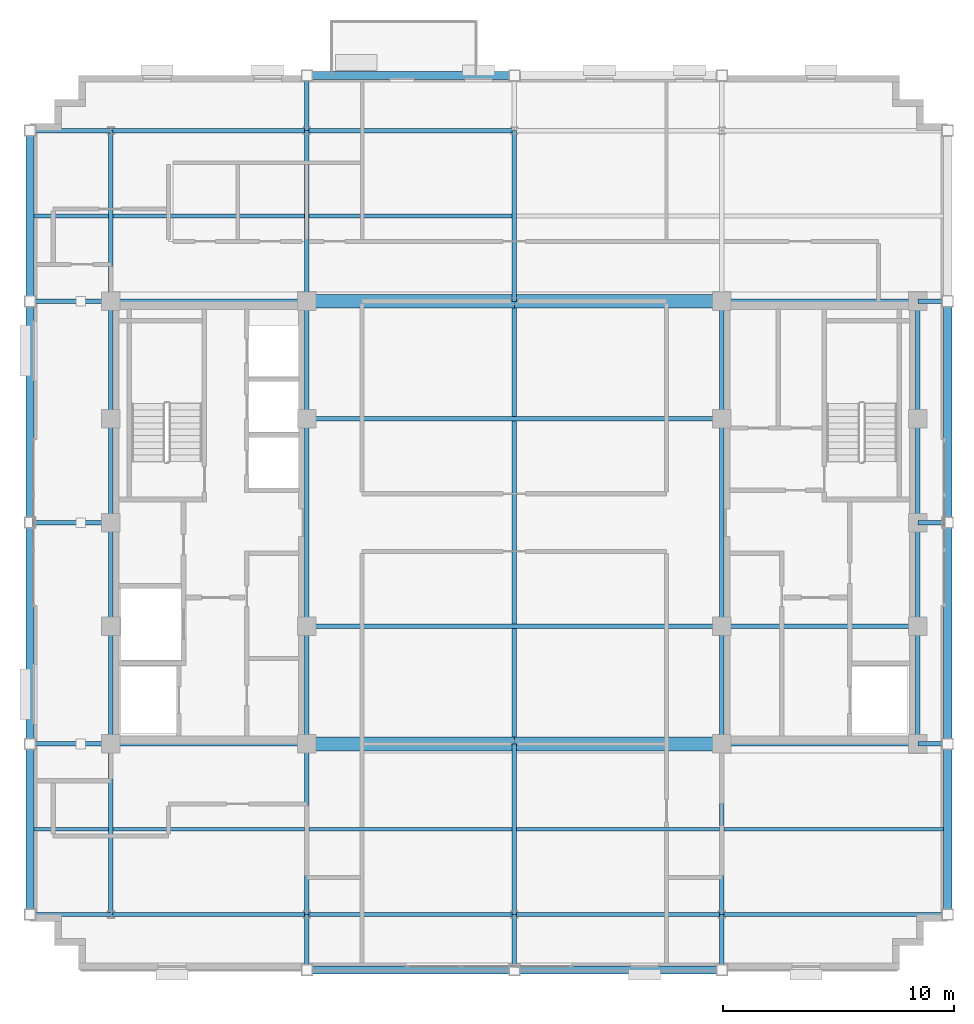
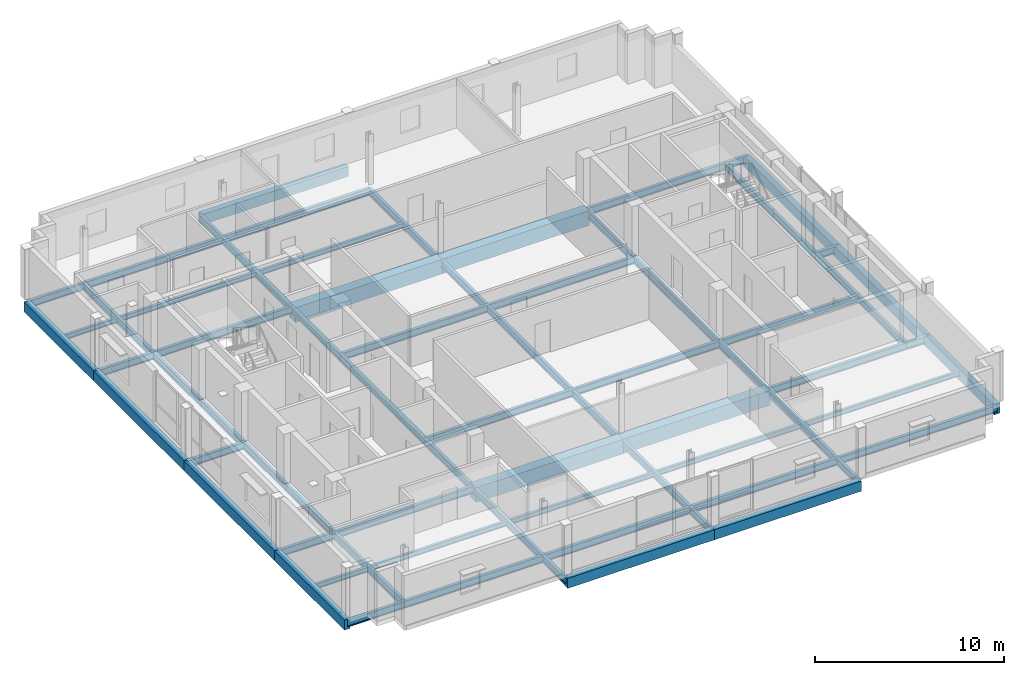
# One storey, part 4 of 15: 69 beams.
"""IFC4 building model written with IfcOpenShell, lengths in metres."""

from ifc_helpers import new_model, si_unit, direction, frame, origin, origin_2d, place, context, subcontext, project, spatial, rectangle, i_section, extrude, material, material_profile, profile_set, type_object, element, save


model = new_model("IFC4")

# Units and contexts
model_context = context("Model", 3, precision=1e-05, world=origin(), true_north=direction((0.0, 1.0)))
body_context = subcontext(model_context, "Body", "Model", "MODEL_VIEW")
ifc_project = project(units=[si_unit("LENGTHUNIT", "METRE"), si_unit("AREAUNIT", "SQUARE_METRE"), si_unit("VOLUMEUNIT", "CUBIC_METRE"), si_unit("PLANEANGLEUNIT", "RADIAN"), si_unit("MASSUNIT", "GRAM", prefix="KILO")], contexts=[model_context])

# Site, building, storey
site_placement = place(None, origin())
site = spatial("IfcSite", under=ifc_project, at=site_placement, CompositionType="ELEMENT")
building_placement = place(site_placement, origin())
building = spatial("IfcBuilding", under=site, at=building_placement, Name="Nuvemarco Arch Tower", CompositionType="ELEMENT")
storey_placement = place(building_placement, frame((0.0, 0.0, 283.5)))
storey = spatial("IfcBuildingStorey", under=building, at=storey_placement, Name="L75", CompositionType="ELEMENT", Elevation=283.5)

# Beams
ifc_material_1 = material(Name="Concrete C60/75", Category="concrete")
ifc_material_profile_1 = material_profile(ifc_material_1, rectangle(XDim=0.60009765625, YDim=0.949951171875, at=origin_2d()), Name="RC-BM-600x950")
ifc_profile_set_1 = profile_set([ifc_material_profile_1], Name="Concrete C60/75")
beam_type_1 = type_object("IfcBeamType", Name="BM-COUP-RC", PredefinedType="LINTEL", material=ifc_profile_set_1)
for number, where, z_axis, x_axis, name in (
    (1, (-9.0, -9.60009765625, -0.7548828125), (1.0, 0.0, 0.0), (0.0, 1.0, 0.0), "L75 structural beam BGEW_L75_0_-9.6_-9.0"),
    (2, (0.0, -9.60009765625, -0.7548828125), (1.0, 0.0, 0.0), (0.0, 1.0, 0.0), "L75 structural beam BGEW_L75_0_-9.6_+0.0"),
    (3, (-9.0, 9.60009765625, -0.7548828125), (1.0, 0.0, 0.0), (0.0, 1.0, 0.0), "L75 structural beam BGEW_L75_0_+9.6_-9.0"),
    (4, (0.0, 9.60009765625, -0.7548828125), (1.0, 0.0, 0.0), (0.0, 1.0, 0.0), "L75 structural beam BGEW_L75_0_+9.6_+0.0"),
):
    element("IfcBeam", number, at=place(storey_placement, frame(where, z_axis=z_axis, x_axis=x_axis)), inside=storey, type_object=beam_type_1, Name=name, PredefinedType="LINTEL", context=body_context, shape_type="SweptSolid", body=[
        extrude(rectangle(XDim=0.60009765625, YDim=0.949951171875, at=origin_2d()), origin(), (0.0, 0.0, 1.0), 9.0),
    ])
ifc_material_2 = material(Name="Steel S355", Category="steel")
ifc_material_profile_2 = material_profile(ifc_material_2, i_section(OverallWidth=0.19189453125, OverallDepth=0.462890625, WebThickness=0.010498046875, FlangeThickness=0.017578125, FilletRadius=0.014892578125, at=origin_2d()), Name="W460x89")
ifc_profile_set_2 = profile_set([ifc_material_profile_2], Name="Steel S355")
beam_type_2 = type_object("IfcBeamType", Name="BM-GIRD-460", PredefinedType="BEAM", material=ifc_profile_set_2)
beam_1_placement = place(storey_placement, frame((-17.5, -17.0, -0.511474609375), z_axis=(0.0, 1.0, 0.0), x_axis=(-1.0, 0.0, 0.0)))
element("IfcBeam", 5, at=beam_1_placement, inside=storey, type_object=beam_type_2, Name="L75 structural beam BGNS_L75_0_-17.5_-17.0", PredefinedType="BEAM", context=body_context, shape_type="SweptSolid", body=[
    extrude(i_section(OverallWidth=0.19189453125, OverallDepth=0.462890625, WebThickness=0.010498046875, FlangeThickness=0.017578125, FilletRadius=0.014892578125, at=origin_2d()), origin(), (0.0, 0.0, 1.0), 7.39990234375),
])
beam_2_placement = place(storey_placement, frame((-17.5, -9.60009765625, -0.511474609375), z_axis=(0.0, 1.0, 0.0), x_axis=(-1.0, 0.0, 0.0)))
element("IfcBeam", 6, at=beam_2_placement, inside=storey, type_object=beam_type_2, Name="L75 structural beam BGNS_L75_0_-17.5_-9.6", PredefinedType="BEAM", context=body_context, shape_type="SweptSolid", body=[
    extrude(i_section(OverallWidth=0.19189453125, OverallDepth=0.462890625, WebThickness=0.010498046875, FlangeThickness=0.017578125, FilletRadius=0.014892578125, at=origin_2d()), origin(), (0.0, 0.0, 1.0), 5.10009765625),
])
for number, where, z_axis, x_axis, name in (
    (7, (-17.5, -4.5, -0.511474609375), (0.0, 1.0, 0.0), (-1.0, 0.0, 0.0), "L75 structural beam BGNS_L75_0_-17.5_-4.5"),
    (8, (-17.5, 0.0, -0.511474609375), (0.0, 1.0, 0.0), (-1.0, 0.0, 0.0), "L75 structural beam BGNS_L75_0_-17.5_+0.0"),
):
    element("IfcBeam", number, at=place(storey_placement, frame(where, z_axis=z_axis, x_axis=x_axis)), inside=storey, type_object=beam_type_2, Name=name, PredefinedType="BEAM", context=body_context, shape_type="SweptSolid", body=[
        extrude(i_section(OverallWidth=0.19189453125, OverallDepth=0.462890625, WebThickness=0.010498046875, FlangeThickness=0.017578125, FilletRadius=0.014892578125, at=origin_2d()), origin(), (0.0, 0.0, 1.0), 4.5),
    ])
beam_3_placement = place(storey_placement, frame((-17.5, 4.5, -0.511474609375), z_axis=(0.0, 1.0, 0.0), x_axis=(-1.0, 0.0, 0.0)))
element("IfcBeam", 9, at=beam_3_placement, inside=storey, type_object=beam_type_2, Name="L75 structural beam BGNS_L75_0_-17.5_+4.5", PredefinedType="BEAM", context=body_context, shape_type="SweptSolid", body=[
    extrude(i_section(OverallWidth=0.19189453125, OverallDepth=0.462890625, WebThickness=0.010498046875, FlangeThickness=0.017578125, FilletRadius=0.014892578125, at=origin_2d()), origin(), (0.0, 0.0, 1.0), 5.10009765625),
])
beam_4_placement = place(storey_placement, frame((-17.5, 9.60009765625, -0.511474609375), z_axis=(0.0, 1.0, 0.0), x_axis=(-1.0, 0.0, 0.0)))
element("IfcBeam", 10, at=beam_4_placement, inside=storey, type_object=beam_type_2, Name="L75 structural beam BGNS_L75_0_-17.5_+9.6", PredefinedType="BEAM", context=body_context, shape_type="SweptSolid", body=[
    extrude(i_section(OverallWidth=0.19189453125, OverallDepth=0.462890625, WebThickness=0.010498046875, FlangeThickness=0.017578125, FilletRadius=0.014892578125, at=origin_2d()), origin(), (0.0, 0.0, 1.0), 7.39990234375),
])
beam_5_placement = place(storey_placement, frame((-9.0, -19.39990234375, -0.511474609375), z_axis=(0.0, 1.0, 0.0), x_axis=(-1.0, 0.0, 0.0)))
element("IfcBeam", 11, at=beam_5_placement, inside=storey, type_object=beam_type_2, Name="L75 structural beam BGNS_L75_0_-9.0_-19.4", PredefinedType="BEAM", context=body_context, shape_type="SweptSolid", body=[
    extrude(i_section(OverallWidth=0.19189453125, OverallDepth=0.462890625, WebThickness=0.010498046875, FlangeThickness=0.017578125, FilletRadius=0.014892578125, at=origin_2d()), origin(), (0.0, 0.0, 1.0), 2.39990234375),
])
beam_6_placement = place(storey_placement, frame((-9.0, -17.0, -0.511474609375), z_axis=(0.0, 1.0, 0.0), x_axis=(-1.0, 0.0, 0.0)))
element("IfcBeam", 12, at=beam_6_placement, inside=storey, type_object=beam_type_2, Name="L75 structural beam BGNS_L75_0_-9.0_-17.0", PredefinedType="BEAM", context=body_context, shape_type="SweptSolid", body=[
    extrude(i_section(OverallWidth=0.19189453125, OverallDepth=0.462890625, WebThickness=0.010498046875, FlangeThickness=0.017578125, FilletRadius=0.014892578125, at=origin_2d()), origin(), (0.0, 0.0, 1.0), 7.39990234375),
])
beam_7_placement = place(storey_placement, frame((-9.0, -9.60009765625, -0.511474609375), z_axis=(0.0, 1.0, 0.0), x_axis=(-1.0, 0.0, 0.0)))
element("IfcBeam", 13, at=beam_7_placement, inside=storey, type_object=beam_type_2, Name="L75 structural beam BGNS_L75_0_-9.0_-9.6", PredefinedType="BEAM", context=body_context, shape_type="SweptSolid", body=[
    extrude(i_section(OverallWidth=0.19189453125, OverallDepth=0.462890625, WebThickness=0.010498046875, FlangeThickness=0.017578125, FilletRadius=0.014892578125, at=origin_2d()), origin(), (0.0, 0.0, 1.0), 5.10009765625),
])
beam_8_placement = place(storey_placement, frame((-9.0, -4.5, -0.511474609375), z_axis=(0.0, 1.0, 0.0), x_axis=(-1.0, 0.0, 0.0)))
element("IfcBeam", 14, at=beam_8_placement, inside=storey, type_object=beam_type_2, Name="L75 structural beam BGNS_L75_0_-9.0_-4.5", PredefinedType="BEAM", context=body_context, shape_type="SweptSolid", body=[
    extrude(i_section(OverallWidth=0.19189453125, OverallDepth=0.462890625, WebThickness=0.010498046875, FlangeThickness=0.017578125, FilletRadius=0.014892578125, at=origin_2d()), origin(), (0.0, 0.0, 1.0), 9.0),
])
beam_9_placement = place(storey_placement, frame((-9.0, 4.5, -0.511474609375), z_axis=(0.0, 1.0, 0.0), x_axis=(-1.0, 0.0, 0.0)))
element("IfcBeam", 15, at=beam_9_placement, inside=storey, type_object=beam_type_2, Name="L75 structural beam BGNS_L75_0_-9.0_+4.5", PredefinedType="BEAM", context=body_context, shape_type="SweptSolid", body=[
    extrude(i_section(OverallWidth=0.19189453125, OverallDepth=0.462890625, WebThickness=0.010498046875, FlangeThickness=0.017578125, FilletRadius=0.014892578125, at=origin_2d()), origin(), (0.0, 0.0, 1.0), 5.10009765625),
])
beam_10_placement = place(storey_placement, frame((-9.0, 9.60009765625, -0.511474609375), z_axis=(0.0, 1.0, 0.0), x_axis=(-1.0, 0.0, 0.0)))
element("IfcBeam", 16, at=beam_10_placement, inside=storey, type_object=beam_type_2, Name="L75 structural beam BGNS_L75_0_-9.0_+9.6", PredefinedType="BEAM", context=body_context, shape_type="SweptSolid", body=[
    extrude(i_section(OverallWidth=0.19189453125, OverallDepth=0.462890625, WebThickness=0.010498046875, FlangeThickness=0.017578125, FilletRadius=0.014892578125, at=origin_2d()), origin(), (0.0, 0.0, 1.0), 7.39990234375),
])
for number, where, z_axis, x_axis, name in (
    (17, (-9.0, 17.0, -0.511474609375), (0.0, 1.0, 0.0), (-1.0, 0.0, 0.0), "L75 structural beam BGNS_L75_0_-9.0_+17.0"),
    (18, (0.0, -19.39990234375, -0.511474609375), (0.0, 1.0, 0.0), (-1.0, 0.0, 0.0), "L75 structural beam BGNS_L75_0_+0.0_-19.4"),
):
    element("IfcBeam", number, at=place(storey_placement, frame(where, z_axis=z_axis, x_axis=x_axis)), inside=storey, type_object=beam_type_2, Name=name, PredefinedType="BEAM", context=body_context, shape_type="SweptSolid", body=[
        extrude(i_section(OverallWidth=0.19189453125, OverallDepth=0.462890625, WebThickness=0.010498046875, FlangeThickness=0.017578125, FilletRadius=0.014892578125, at=origin_2d()), origin(), (0.0, 0.0, 1.0), 2.39990234375),
    ])
beam_11_placement = place(storey_placement, frame((0.0, -17.0, -0.511474609375), z_axis=(0.0, 1.0, 0.0), x_axis=(-1.0, 0.0, 0.0)))
element("IfcBeam", 19, at=beam_11_placement, inside=storey, type_object=beam_type_2, Name="L75 structural beam BGNS_L75_0_+0.0_-17.0", PredefinedType="BEAM", context=body_context, shape_type="SweptSolid", body=[
    extrude(i_section(OverallWidth=0.19189453125, OverallDepth=0.462890625, WebThickness=0.010498046875, FlangeThickness=0.017578125, FilletRadius=0.014892578125, at=origin_2d()), origin(), (0.0, 0.0, 1.0), 7.39990234375),
])
beam_12_placement = place(storey_placement, frame((0.0, -9.60009765625, -0.511474609375), z_axis=(0.0, 1.0, 0.0), x_axis=(-1.0, 0.0, 0.0)))
element("IfcBeam", 20, at=beam_12_placement, inside=storey, type_object=beam_type_2, Name="L75 structural beam BGNS_L75_0_+0.0_-9.6", PredefinedType="BEAM", context=body_context, shape_type="SweptSolid", body=[
    extrude(i_section(OverallWidth=0.19189453125, OverallDepth=0.462890625, WebThickness=0.010498046875, FlangeThickness=0.017578125, FilletRadius=0.014892578125, at=origin_2d()), origin(), (0.0, 0.0, 1.0), 19.2001953125),
])
beam_13_placement = place(storey_placement, frame((0.0, 9.60009765625, -0.511474609375), z_axis=(0.0, 1.0, 0.0), x_axis=(-1.0, 0.0, 0.0)))
element("IfcBeam", 21, at=beam_13_placement, inside=storey, type_object=beam_type_2, Name="L75 structural beam BGNS_L75_0_+0.0_+9.6", PredefinedType="BEAM", context=body_context, shape_type="SweptSolid", body=[
    extrude(i_section(OverallWidth=0.19189453125, OverallDepth=0.462890625, WebThickness=0.010498046875, FlangeThickness=0.017578125, FilletRadius=0.014892578125, at=origin_2d()), origin(), (0.0, 0.0, 1.0), 7.39990234375),
])
beam_14_placement = place(storey_placement, frame((9.0, -19.39990234375, -0.511474609375), z_axis=(0.0, 1.0, 0.0), x_axis=(-1.0, 0.0, 0.0)))
element("IfcBeam", 22, at=beam_14_placement, inside=storey, type_object=beam_type_2, Name="L75 structural beam BGNS_L75_0_+9.0_-19.4", PredefinedType="BEAM", context=body_context, shape_type="SweptSolid", body=[
    extrude(i_section(OverallWidth=0.19189453125, OverallDepth=0.462890625, WebThickness=0.010498046875, FlangeThickness=0.017578125, FilletRadius=0.014892578125, at=origin_2d()), origin(), (0.0, 0.0, 1.0), 2.39990234375),
])
beam_15_placement = place(storey_placement, frame((9.0, -17.0, -0.511474609375), z_axis=(0.0, 1.0, 0.0), x_axis=(-1.0, 0.0, 0.0)))
element("IfcBeam", 23, at=beam_15_placement, inside=storey, type_object=beam_type_2, Name="L75 structural beam BGNS_L75_0_+9.0_-17.0", PredefinedType="BEAM", context=body_context, shape_type="SweptSolid", body=[
    extrude(i_section(OverallWidth=0.19189453125, OverallDepth=0.462890625, WebThickness=0.010498046875, FlangeThickness=0.017578125, FilletRadius=0.014892578125, at=origin_2d()), origin(), (0.0, 0.0, 1.0), 7.39990234375),
])
beam_16_placement = place(storey_placement, frame((9.0, -9.60009765625, -0.511474609375), z_axis=(0.0, 1.0, 0.0), x_axis=(-1.0, 0.0, 0.0)))
element("IfcBeam", 24, at=beam_16_placement, inside=storey, type_object=beam_type_2, Name="L75 structural beam BGNS_L75_0_+9.0_-9.6", PredefinedType="BEAM", context=body_context, shape_type="SweptSolid", body=[
    extrude(i_section(OverallWidth=0.19189453125, OverallDepth=0.462890625, WebThickness=0.010498046875, FlangeThickness=0.017578125, FilletRadius=0.014892578125, at=origin_2d()), origin(), (0.0, 0.0, 1.0), 5.10009765625),
])
beam_17_placement = place(storey_placement, frame((9.0, -4.5, -0.511474609375), z_axis=(0.0, 1.0, 0.0), x_axis=(-1.0, 0.0, 0.0)))
element("IfcBeam", 25, at=beam_17_placement, inside=storey, type_object=beam_type_2, Name="L75 structural beam BGNS_L75_0_+9.0_-4.5", PredefinedType="BEAM", context=body_context, shape_type="SweptSolid", body=[
    extrude(i_section(OverallWidth=0.19189453125, OverallDepth=0.462890625, WebThickness=0.010498046875, FlangeThickness=0.017578125, FilletRadius=0.014892578125, at=origin_2d()), origin(), (0.0, 0.0, 1.0), 9.0),
])
for number, where, z_axis, x_axis, name in (
    (26, (9.0, 4.5, -0.511474609375), (0.0, 1.0, 0.0), (-1.0, 0.0, 0.0), "L75 structural beam BGNS_L75_0_+9.0_+4.5"),
    (27, (17.5, -9.60009765625, -0.511474609375), (0.0, 1.0, 0.0), (-1.0, 0.0, 0.0), "L75 structural beam BGNS_L75_0_+17.5_-9.6"),
):
    element("IfcBeam", number, at=place(storey_placement, frame(where, z_axis=z_axis, x_axis=x_axis)), inside=storey, type_object=beam_type_2, Name=name, PredefinedType="BEAM", context=body_context, shape_type="SweptSolid", body=[
        extrude(i_section(OverallWidth=0.19189453125, OverallDepth=0.462890625, WebThickness=0.010498046875, FlangeThickness=0.017578125, FilletRadius=0.014892578125, at=origin_2d()), origin(), (0.0, 0.0, 1.0), 5.10009765625),
    ])
for number, where, z_axis, x_axis, name in (
    (28, (17.5, -4.5, -0.511474609375), (0.0, 1.0, 0.0), (-1.0, 0.0, 0.0), "L75 structural beam BGNS_L75_0_+17.5_-4.5"),
    (29, (17.5, 0.0, -0.511474609375), (0.0, 1.0, 0.0), (-1.0, 0.0, 0.0), "L75 structural beam BGNS_L75_0_+17.5_+0.0"),
):
    element("IfcBeam", number, at=place(storey_placement, frame(where, z_axis=z_axis, x_axis=x_axis)), inside=storey, type_object=beam_type_2, Name=name, PredefinedType="BEAM", context=body_context, shape_type="SweptSolid", body=[
        extrude(i_section(OverallWidth=0.19189453125, OverallDepth=0.462890625, WebThickness=0.010498046875, FlangeThickness=0.017578125, FilletRadius=0.014892578125, at=origin_2d()), origin(), (0.0, 0.0, 1.0), 4.5),
    ])
beam_18_placement = place(storey_placement, frame((17.5, 4.5, -0.511474609375), z_axis=(0.0, 1.0, 0.0), x_axis=(-1.0, 0.0, 0.0)))
element("IfcBeam", 30, at=beam_18_placement, inside=storey, type_object=beam_type_2, Name="L75 structural beam BGNS_L75_0_+17.5_+4.5", PredefinedType="BEAM", context=body_context, shape_type="SweptSolid", body=[
    extrude(i_section(OverallWidth=0.19189453125, OverallDepth=0.462890625, WebThickness=0.010498046875, FlangeThickness=0.017578125, FilletRadius=0.014892578125, at=origin_2d()), origin(), (0.0, 0.0, 1.0), 5.10009765625),
])
beam_19_placement = place(storey_placement, frame((-21.0, -17.0, -0.511474609375), z_axis=(1.0, 0.0, 0.0), x_axis=(0.0, 1.0, 0.0)))
element("IfcBeam", 31, at=beam_19_placement, inside=storey, type_object=beam_type_2, Name="L75 structural beam BGEW_L75_0_-17.0_-21.0", PredefinedType="BEAM", context=body_context, shape_type="SweptSolid", body=[
    extrude(i_section(OverallWidth=0.19189453125, OverallDepth=0.462890625, WebThickness=0.010498046875, FlangeThickness=0.017578125, FilletRadius=0.014892578125, at=origin_2d()), origin(), (0.0, 0.0, 1.0), 3.5),
])
beam_20_placement = place(storey_placement, frame((-17.5, -17.0, -0.511474609375), z_axis=(1.0, 0.0, 0.0), x_axis=(0.0, 1.0, 0.0)))
element("IfcBeam", 32, at=beam_20_placement, inside=storey, type_object=beam_type_2, Name="L75 structural beam BGEW_L75_0_-17.0_-17.5", PredefinedType="BEAM", context=body_context, shape_type="SweptSolid", body=[
    extrude(i_section(OverallWidth=0.19189453125, OverallDepth=0.462890625, WebThickness=0.010498046875, FlangeThickness=0.017578125, FilletRadius=0.014892578125, at=origin_2d()), origin(), (0.0, 0.0, 1.0), 8.5),
])
for number, where, z_axis, x_axis, name in (
    (33, (-9.0, -17.0, -0.511474609375), (1.0, 0.0, 0.0), (0.0, 1.0, 0.0), "L75 structural beam BGEW_L75_0_-17.0_-9.0"),
    (34, (0.0, -17.0, -0.511474609375), (1.0, 0.0, 0.0), (0.0, 1.0, 0.0), "L75 structural beam BGEW_L75_0_-17.0_+0.0"),
):
    element("IfcBeam", number, at=place(storey_placement, frame(where, z_axis=z_axis, x_axis=x_axis)), inside=storey, type_object=beam_type_2, Name=name, PredefinedType="BEAM", context=body_context, shape_type="SweptSolid", body=[
        extrude(i_section(OverallWidth=0.19189453125, OverallDepth=0.462890625, WebThickness=0.010498046875, FlangeThickness=0.017578125, FilletRadius=0.014892578125, at=origin_2d()), origin(), (0.0, 0.0, 1.0), 9.0),
    ])
beam_21_placement = place(storey_placement, frame((9.0, -17.0, -0.511474609375), z_axis=(1.0, 0.0, 0.0), x_axis=(0.0, 1.0, 0.0)))
element("IfcBeam", 35, at=beam_21_placement, inside=storey, type_object=beam_type_2, Name="L75 structural beam BGEW_L75_0_-17.0_+9.0", PredefinedType="BEAM", context=body_context, shape_type="SweptSolid", body=[
    extrude(i_section(OverallWidth=0.19189453125, OverallDepth=0.462890625, WebThickness=0.010498046875, FlangeThickness=0.017578125, FilletRadius=0.014892578125, at=origin_2d()), origin(), (0.0, 0.0, 1.0), 9.800048828125),
])
beam_22_placement = place(storey_placement, frame((-21.0, -9.60009765625, -0.511474609375), z_axis=(1.0, 0.0, 0.0), x_axis=(0.0, 1.0, 0.0)))
element("IfcBeam", 36, at=beam_22_placement, inside=storey, type_object=beam_type_2, Name="L75 structural beam BGEW_L75_0_-9.6_-21.0", PredefinedType="BEAM", context=body_context, shape_type="SweptSolid", body=[
    extrude(i_section(OverallWidth=0.19189453125, OverallDepth=0.462890625, WebThickness=0.010498046875, FlangeThickness=0.017578125, FilletRadius=0.014892578125, at=origin_2d()), origin(), (0.0, 0.0, 1.0), 3.5),
])
for number, where, z_axis, x_axis, name in (
    (37, (-17.5, -9.60009765625, -0.511474609375), (1.0, 0.0, 0.0), (0.0, 1.0, 0.0), "L75 structural beam BGEW_L75_0_-9.6_-17.5"),
    (38, (9.0, -9.60009765625, -0.511474609375), (1.0, 0.0, 0.0), (0.0, 1.0, 0.0), "L75 structural beam BGEW_L75_0_-9.6_+9.0"),
):
    element("IfcBeam", number, at=place(storey_placement, frame(where, z_axis=z_axis, x_axis=x_axis)), inside=storey, type_object=beam_type_2, Name=name, PredefinedType="BEAM", context=body_context, shape_type="SweptSolid", body=[
        extrude(i_section(OverallWidth=0.19189453125, OverallDepth=0.462890625, WebThickness=0.010498046875, FlangeThickness=0.017578125, FilletRadius=0.014892578125, at=origin_2d()), origin(), (0.0, 0.0, 1.0), 8.5),
    ])
beam_23_placement = place(storey_placement, frame((17.5, -9.60009765625, -0.511474609375), z_axis=(1.0, 0.0, 0.0), x_axis=(0.0, 1.0, 0.0)))
element("IfcBeam", 39, at=beam_23_placement, inside=storey, type_object=beam_type_2, Name="L75 structural beam BGEW_L75_0_-9.6_+17.5", PredefinedType="BEAM", context=body_context, shape_type="SweptSolid", body=[
    extrude(i_section(OverallWidth=0.19189453125, OverallDepth=0.462890625, WebThickness=0.010498046875, FlangeThickness=0.017578125, FilletRadius=0.014892578125, at=origin_2d()), origin(), (0.0, 0.0, 1.0), 1.300048828125),
])
beam_24_placement = place(storey_placement, frame((-9.0, -4.5, -0.511474609375), z_axis=(1.0, 0.0, 0.0), x_axis=(0.0, 1.0, 0.0)))
element("IfcBeam", 40, at=beam_24_placement, inside=storey, type_object=beam_type_2, Name="L75 structural beam BGEW_L75_0_-4.5_-9.0", PredefinedType="BEAM", context=body_context, shape_type="SweptSolid", body=[
    extrude(i_section(OverallWidth=0.19189453125, OverallDepth=0.462890625, WebThickness=0.010498046875, FlangeThickness=0.017578125, FilletRadius=0.014892578125, at=origin_2d()), origin(), (0.0, 0.0, 1.0), 18.0),
])
beam_25_placement = place(storey_placement, frame((9.0, -4.5, -0.511474609375), z_axis=(1.0, 0.0, 0.0), x_axis=(0.0, 1.0, 0.0)))
element("IfcBeam", 41, at=beam_25_placement, inside=storey, type_object=beam_type_2, Name="L75 structural beam BGEW_L75_0_-4.5_+9.0", PredefinedType="BEAM", context=body_context, shape_type="SweptSolid", body=[
    extrude(i_section(OverallWidth=0.19189453125, OverallDepth=0.462890625, WebThickness=0.010498046875, FlangeThickness=0.017578125, FilletRadius=0.014892578125, at=origin_2d()), origin(), (0.0, 0.0, 1.0), 8.5),
])
beam_26_placement = place(storey_placement, frame((-21.0, 0.0, -0.511474609375), z_axis=(1.0, 0.0, 0.0), x_axis=(0.0, 1.0, 0.0)))
element("IfcBeam", 42, at=beam_26_placement, inside=storey, type_object=beam_type_2, Name="L75 structural beam BGEW_L75_0_+0.0_-21.0", PredefinedType="BEAM", context=body_context, shape_type="SweptSolid", body=[
    extrude(i_section(OverallWidth=0.19189453125, OverallDepth=0.462890625, WebThickness=0.010498046875, FlangeThickness=0.017578125, FilletRadius=0.014892578125, at=origin_2d()), origin(), (0.0, 0.0, 1.0), 3.5),
])
beam_27_placement = place(storey_placement, frame((17.5, 0.0, -0.511474609375), z_axis=(1.0, 0.0, 0.0), x_axis=(0.0, 1.0, 0.0)))
element("IfcBeam", 43, at=beam_27_placement, inside=storey, type_object=beam_type_2, Name="L75 structural beam BGEW_L75_0_+0.0_+17.5", PredefinedType="BEAM", context=body_context, shape_type="SweptSolid", body=[
    extrude(i_section(OverallWidth=0.19189453125, OverallDepth=0.462890625, WebThickness=0.010498046875, FlangeThickness=0.017578125, FilletRadius=0.014892578125, at=origin_2d()), origin(), (0.0, 0.0, 1.0), 1.300048828125),
])
beam_28_placement = place(storey_placement, frame((-9.0, 4.5, -0.511474609375), z_axis=(1.0, 0.0, 0.0), x_axis=(0.0, 1.0, 0.0)))
element("IfcBeam", 44, at=beam_28_placement, inside=storey, type_object=beam_type_2, Name="L75 structural beam BGEW_L75_0_+4.5_-9.0", PredefinedType="BEAM", context=body_context, shape_type="SweptSolid", body=[
    extrude(i_section(OverallWidth=0.19189453125, OverallDepth=0.462890625, WebThickness=0.010498046875, FlangeThickness=0.017578125, FilletRadius=0.014892578125, at=origin_2d()), origin(), (0.0, 0.0, 1.0), 18.0),
])
beam_29_placement = place(storey_placement, frame((-21.0, 9.60009765625, -0.511474609375), z_axis=(1.0, 0.0, 0.0), x_axis=(0.0, 1.0, 0.0)))
element("IfcBeam", 45, at=beam_29_placement, inside=storey, type_object=beam_type_2, Name="L75 structural beam BGEW_L75_0_+9.6_-21.0", PredefinedType="BEAM", context=body_context, shape_type="SweptSolid", body=[
    extrude(i_section(OverallWidth=0.19189453125, OverallDepth=0.462890625, WebThickness=0.010498046875, FlangeThickness=0.017578125, FilletRadius=0.014892578125, at=origin_2d()), origin(), (0.0, 0.0, 1.0), 3.5),
])
for number, where, z_axis, x_axis, name in (
    (46, (-17.5, 9.60009765625, -0.511474609375), (1.0, 0.0, 0.0), (0.0, 1.0, 0.0), "L75 structural beam BGEW_L75_0_+9.6_-17.5"),
    (47, (9.0, 9.60009765625, -0.511474609375), (1.0, 0.0, 0.0), (0.0, 1.0, 0.0), "L75 structural beam BGEW_L75_0_+9.6_+9.0"),
):
    element("IfcBeam", number, at=place(storey_placement, frame(where, z_axis=z_axis, x_axis=x_axis)), inside=storey, type_object=beam_type_2, Name=name, PredefinedType="BEAM", context=body_context, shape_type="SweptSolid", body=[
        extrude(i_section(OverallWidth=0.19189453125, OverallDepth=0.462890625, WebThickness=0.010498046875, FlangeThickness=0.017578125, FilletRadius=0.014892578125, at=origin_2d()), origin(), (0.0, 0.0, 1.0), 8.5),
    ])
beam_30_placement = place(storey_placement, frame((17.5, 9.60009765625, -0.511474609375), z_axis=(1.0, 0.0, 0.0), x_axis=(0.0, 1.0, 0.0)))
element("IfcBeam", 48, at=beam_30_placement, inside=storey, type_object=beam_type_2, Name="L75 structural beam BGEW_L75_0_+9.6_+17.5", PredefinedType="BEAM", context=body_context, shape_type="SweptSolid", body=[
    extrude(i_section(OverallWidth=0.19189453125, OverallDepth=0.462890625, WebThickness=0.010498046875, FlangeThickness=0.017578125, FilletRadius=0.014892578125, at=origin_2d()), origin(), (0.0, 0.0, 1.0), 1.300048828125),
])
beam_31_placement = place(storey_placement, frame((-21.0, 17.0, -0.511474609375), z_axis=(1.0, 0.0, 0.0), x_axis=(0.0, 1.0, 0.0)))
element("IfcBeam", 49, at=beam_31_placement, inside=storey, type_object=beam_type_2, Name="L75 structural beam BGEW_L75_0_+17.0_-21.0", PredefinedType="BEAM", context=body_context, shape_type="SweptSolid", body=[
    extrude(i_section(OverallWidth=0.19189453125, OverallDepth=0.462890625, WebThickness=0.010498046875, FlangeThickness=0.017578125, FilletRadius=0.014892578125, at=origin_2d()), origin(), (0.0, 0.0, 1.0), 3.5),
])
beam_32_placement = place(storey_placement, frame((-17.5, 17.0, -0.511474609375), z_axis=(1.0, 0.0, 0.0), x_axis=(0.0, 1.0, 0.0)))
element("IfcBeam", 50, at=beam_32_placement, inside=storey, type_object=beam_type_2, Name="L75 structural beam BGEW_L75_0_+17.0_-17.5", PredefinedType="BEAM", context=body_context, shape_type="SweptSolid", body=[
    extrude(i_section(OverallWidth=0.19189453125, OverallDepth=0.462890625, WebThickness=0.010498046875, FlangeThickness=0.017578125, FilletRadius=0.014892578125, at=origin_2d()), origin(), (0.0, 0.0, 1.0), 8.5),
])
beam_33_placement = place(storey_placement, frame((-9.0, 17.0, -0.511474609375), z_axis=(1.0, 0.0, 0.0), x_axis=(0.0, 1.0, 0.0)))
element("IfcBeam", 51, at=beam_33_placement, inside=storey, type_object=beam_type_2, Name="L75 structural beam BGEW_L75_0_+17.0_-9.0", PredefinedType="BEAM", context=body_context, shape_type="SweptSolid", body=[
    extrude(i_section(OverallWidth=0.19189453125, OverallDepth=0.462890625, WebThickness=0.010498046875, FlangeThickness=0.017578125, FilletRadius=0.014892578125, at=origin_2d()), origin(), (0.0, 0.0, 1.0), 9.0),
])
ifc_material_profile_3 = material_profile(ifc_material_2, i_section(OverallWidth=0.1669921875, OverallDepth=0.31689453125, WebThickness=0.007568359375, FlangeThickness=0.01318359375, FilletRadius=0.010009765625, at=origin_2d()), Name="W310x52")
ifc_profile_set_3 = profile_set([ifc_material_profile_3], Name="Steel S355")
beam_type_3 = type_object("IfcBeamType", Name="BM-JOIST-310", PredefinedType="JOIST", material=ifc_profile_set_3)
beam_34_placement = place(storey_placement, frame((-20.824951171875, -13.300048828125, -0.4384765625), z_axis=(1.0, 0.0, 0.0), x_axis=(0.0, 1.0, 0.0)))
element("IfcBeam", 52, at=beam_34_placement, inside=storey, type_object=beam_type_3, Name="L75 structural beam BJ_L75_0_-13.3_-21.0", PredefinedType="JOIST", context=body_context, shape_type="SweptSolid", body=[
    extrude(i_section(OverallWidth=0.1669921875, OverallDepth=0.31689453125, WebThickness=0.007568359375, FlangeThickness=0.01318359375, FilletRadius=0.010009765625, at=origin_2d()), origin(), (0.0, 0.0, 1.0), 3.22900390625),
])
beam_35_placement = place(storey_placement, frame((-17.404052734375, -13.300048828125, -0.4384765625), z_axis=(1.0, 0.0, 0.0), x_axis=(0.0, 1.0, 0.0)))
element("IfcBeam", 53, at=beam_35_placement, inside=storey, type_object=beam_type_3, Name="L75 structural beam BJ_L75_0_-13.3_-17.5", PredefinedType="JOIST", context=body_context, shape_type="SweptSolid", body=[
    extrude(i_section(OverallWidth=0.1669921875, OverallDepth=0.31689453125, WebThickness=0.007568359375, FlangeThickness=0.01318359375, FilletRadius=0.010009765625, at=origin_2d()), origin(), (0.0, 0.0, 1.0), 8.30810546875),
])
for number, where, z_axis, x_axis, name in (
    (54, (-8.904052734375, -13.300048828125, -0.4384765625), (1.0, 0.0, 0.0), (0.0, 1.0, 0.0), "L75 structural beam BJ_L75_0_-13.3_-9.0"),
    (55, (0.095947265625, -13.300048828125, -0.4384765625), (1.0, 0.0, 0.0), (0.0, 1.0, 0.0), "L75 structural beam BJ_L75_0_-13.3_+0.0"),
):
    element("IfcBeam", number, at=place(storey_placement, frame(where, z_axis=z_axis, x_axis=x_axis)), inside=storey, type_object=beam_type_3, Name=name, PredefinedType="JOIST", context=body_context, shape_type="SweptSolid", body=[
        extrude(i_section(OverallWidth=0.1669921875, OverallDepth=0.31689453125, WebThickness=0.007568359375, FlangeThickness=0.01318359375, FilletRadius=0.010009765625, at=origin_2d()), origin(), (0.0, 0.0, 1.0), 8.80810546875),
    ])
beam_36_placement = place(storey_placement, frame((9.095947265625, -13.300048828125, -0.4384765625), z_axis=(1.0, 0.0, 0.0), x_axis=(0.0, 1.0, 0.0)))
element("IfcBeam", 56, at=beam_36_placement, inside=storey, type_object=beam_type_3, Name="L75 structural beam BJ_L75_0_-13.3_+9.0", PredefinedType="JOIST", context=body_context, shape_type="SweptSolid", body=[
    extrude(i_section(OverallWidth=0.1669921875, OverallDepth=0.31689453125, WebThickness=0.007568359375, FlangeThickness=0.01318359375, FilletRadius=0.010009765625, at=origin_2d()), origin(), (0.0, 0.0, 1.0), 9.529052734375),
])
beam_37_placement = place(storey_placement, frame((-20.824951171875, 13.300048828125, -0.4384765625), z_axis=(1.0, 0.0, 0.0), x_axis=(0.0, 1.0, 0.0)))
element("IfcBeam", 57, at=beam_37_placement, inside=storey, type_object=beam_type_3, Name="L75 structural beam BJ_L75_0_+13.3_-21.0", PredefinedType="JOIST", context=body_context, shape_type="SweptSolid", body=[
    extrude(i_section(OverallWidth=0.1669921875, OverallDepth=0.31689453125, WebThickness=0.007568359375, FlangeThickness=0.01318359375, FilletRadius=0.010009765625, at=origin_2d()), origin(), (0.0, 0.0, 1.0), 3.22900390625),
])
beam_38_placement = place(storey_placement, frame((-17.404052734375, 13.300048828125, -0.4384765625), z_axis=(1.0, 0.0, 0.0), x_axis=(0.0, 1.0, 0.0)))
element("IfcBeam", 58, at=beam_38_placement, inside=storey, type_object=beam_type_3, Name="L75 structural beam BJ_L75_0_+13.3_-17.5", PredefinedType="JOIST", context=body_context, shape_type="SweptSolid", body=[
    extrude(i_section(OverallWidth=0.1669921875, OverallDepth=0.31689453125, WebThickness=0.007568359375, FlangeThickness=0.01318359375, FilletRadius=0.010009765625, at=origin_2d()), origin(), (0.0, 0.0, 1.0), 8.30810546875),
])
beam_39_placement = place(storey_placement, frame((-8.904052734375, 13.300048828125, -0.4384765625), z_axis=(1.0, 0.0, 0.0), x_axis=(0.0, 1.0, 0.0)))
element("IfcBeam", 59, at=beam_39_placement, inside=storey, type_object=beam_type_3, Name="L75 structural beam BJ_L75_0_+13.3_-9.0", PredefinedType="JOIST", context=body_context, shape_type="SweptSolid", body=[
    extrude(i_section(OverallWidth=0.1669921875, OverallDepth=0.31689453125, WebThickness=0.007568359375, FlangeThickness=0.01318359375, FilletRadius=0.010009765625, at=origin_2d()), origin(), (0.0, 0.0, 1.0), 8.80810546875),
])
ifc_material_3 = material(Name="Precast concrete C45/55", Category="concrete")
ifc_material_profile_4 = material_profile(ifc_material_3, rectangle(XDim=0.35009765625, YDim=0.64990234375, at=origin_2d()), Name="PC-SP-350x650")
ifc_profile_set_4 = profile_set([ifc_material_profile_4], Name="Precast concrete C45/55")
beam_type_4 = type_object("IfcBeamType", Name="BM-SPAN-RC", PredefinedType="SPANDREL", material=ifc_profile_set_4)
beam_40_placement = place(storey_placement, frame((-21.0, -17.0, -0.60498046875), z_axis=(0.0, 1.0, 0.0), x_axis=(-1.0, 0.0, 0.0)))
element("IfcBeam", 60, at=beam_40_placement, inside=storey, type_object=beam_type_4, Name="L75 structural beam BGNS_L75_0_-21.0_-17.0", PredefinedType="SPANDREL", context=body_context, shape_type="SweptSolid", body=[
    extrude(rectangle(XDim=0.35009765625, YDim=0.64990234375, at=origin_2d()), origin(), (0.0, 0.0, 1.0), 7.39990234375),
])
for number, where, z_axis, x_axis, name in (
    (61, (-21.0, -9.60009765625, -0.60498046875), (0.0, 1.0, 0.0), (-1.0, 0.0, 0.0), "L75 structural beam BGNS_L75_0_-21.0_-9.6"),
    (62, (-21.0, 0.0, -0.60498046875), (0.0, 1.0, 0.0), (-1.0, 0.0, 0.0), "L75 structural beam BGNS_L75_0_-21.0_+0.0"),
):
    element("IfcBeam", number, at=place(storey_placement, frame(where, z_axis=z_axis, x_axis=x_axis)), inside=storey, type_object=beam_type_4, Name=name, PredefinedType="SPANDREL", context=body_context, shape_type="SweptSolid", body=[
        extrude(rectangle(XDim=0.35009765625, YDim=0.64990234375, at=origin_2d()), origin(), (0.0, 0.0, 1.0), 9.60009765625),
    ])
for number, where, z_axis, x_axis, name in (
    (63, (-21.0, 9.60009765625, -0.60498046875), (0.0, 1.0, 0.0), (-1.0, 0.0, 0.0), "L75 structural beam BGNS_L75_0_-21.0_+9.6"),
    (64, (18.800048828125, -17.0, -0.60498046875), (0.0, 1.0, 0.0), (-1.0, 0.0, 0.0), "L75 structural beam BGNS_L75_0_+18.8_-17.0"),
):
    element("IfcBeam", number, at=place(storey_placement, frame(where, z_axis=z_axis, x_axis=x_axis)), inside=storey, type_object=beam_type_4, Name=name, PredefinedType="SPANDREL", context=body_context, shape_type="SweptSolid", body=[
        extrude(rectangle(XDim=0.35009765625, YDim=0.64990234375, at=origin_2d()), origin(), (0.0, 0.0, 1.0), 7.39990234375),
    ])
for number, where, z_axis, x_axis, name in (
    (65, (18.800048828125, -9.60009765625, -0.60498046875), (0.0, 1.0, 0.0), (-1.0, 0.0, 0.0), "L75 structural beam BGNS_L75_0_+18.8_-9.6"),
    (66, (18.800048828125, 0.0, -0.60498046875), (0.0, 1.0, 0.0), (-1.0, 0.0, 0.0), "L75 structural beam BGNS_L75_0_+18.8_+0.0"),
):
    element("IfcBeam", number, at=place(storey_placement, frame(where, z_axis=z_axis, x_axis=x_axis)), inside=storey, type_object=beam_type_4, Name=name, PredefinedType="SPANDREL", context=body_context, shape_type="SweptSolid", body=[
        extrude(rectangle(XDim=0.35009765625, YDim=0.64990234375, at=origin_2d()), origin(), (0.0, 0.0, 1.0), 9.60009765625),
    ])
for number, where, z_axis, x_axis, name in (
    (67, (-9.0, -19.39990234375, -0.60498046875), (1.0, 0.0, 0.0), (0.0, 1.0, 0.0), "L75 structural beam BGEW_L75_0_-19.4_-9.0"),
    (68, (0.0, -19.39990234375, -0.60498046875), (1.0, 0.0, 0.0), (0.0, 1.0, 0.0), "L75 structural beam BGEW_L75_0_-19.4_+0.0"),
    (69, (-9.0, 19.39990234375, -0.60498046875), (1.0, 0.0, 0.0), (0.0, 1.0, 0.0), "L75 structural beam BGEW_L75_0_+19.4_-9.0"),
):
    element("IfcBeam", number, at=place(storey_placement, frame(where, z_axis=z_axis, x_axis=x_axis)), inside=storey, type_object=beam_type_4, Name=name, PredefinedType="SPANDREL", context=body_context, shape_type="SweptSolid", body=[
        extrude(rectangle(XDim=0.35009765625, YDim=0.64990234375, at=origin_2d()), origin(), (0.0, 0.0, 1.0), 9.0),
    ])

save(model, "model.ifc")
